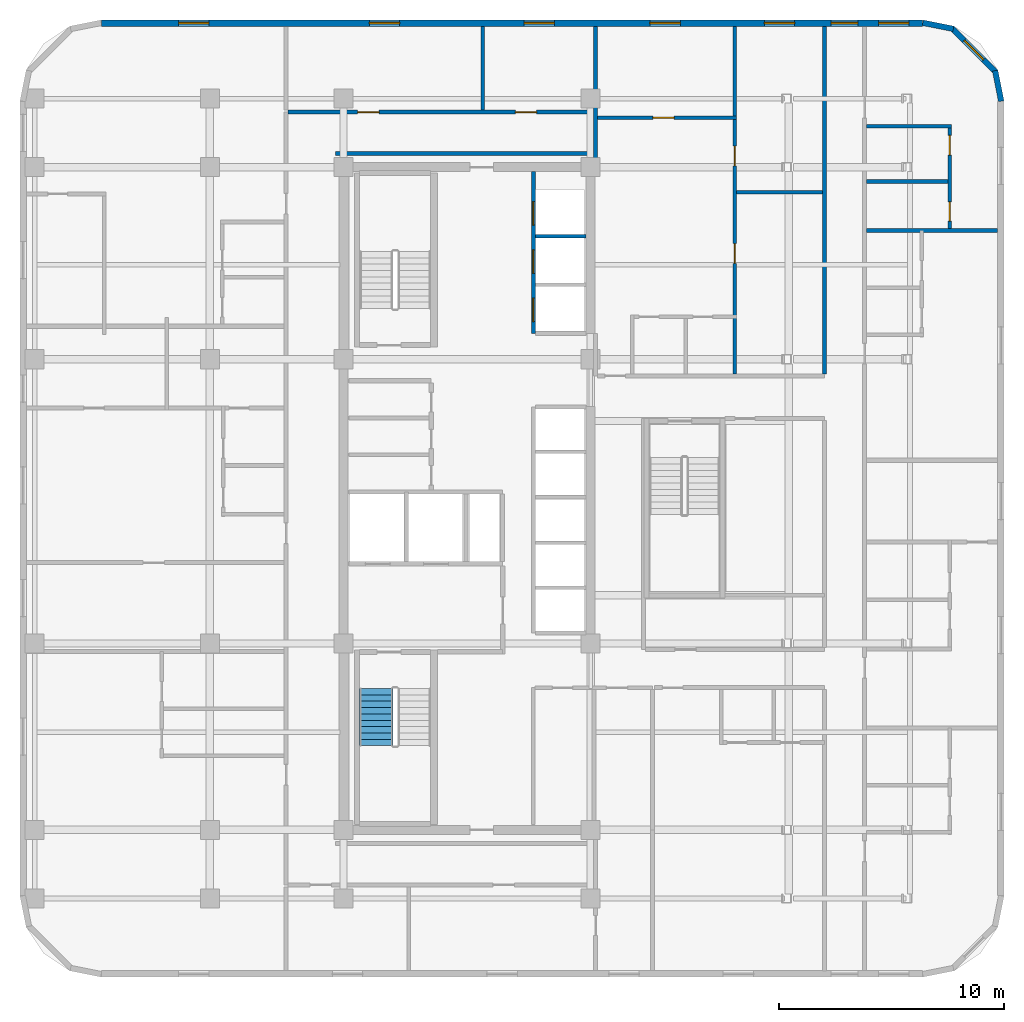
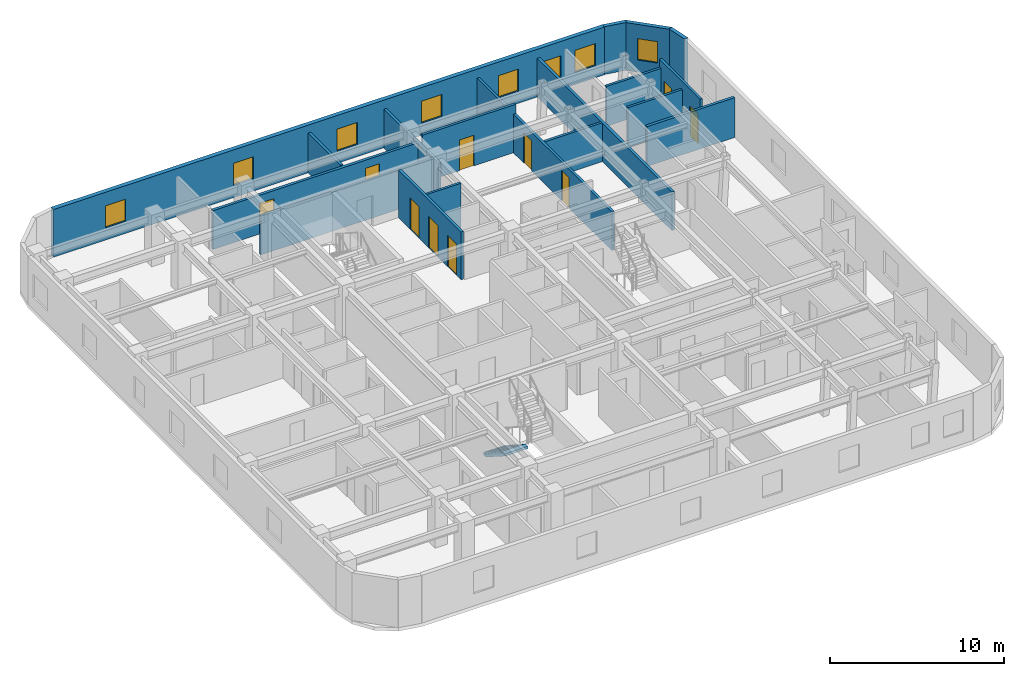
# One storey, part 7 of 9: 18 walls, 10 doors, 8 windows, 1 stair flight, 18 openings, 1 element without a shape of its own.
"""IFC4 building model written with IfcOpenShell, lengths in metres."""

from ifc_helpers import new_model, si_unit, direction, frame, frame_2d, origin, place, context, subcontext, project, spatial, polyline, rectangle, outline, extrude, material, layer, layer_set, type_object, element, fill, aggregate, save


model = new_model("IFC4")

# Units and contexts
model_context = context("Model", 3, precision=1e-05, world=origin(), true_north=direction((0.0, 1.0)))
body_context = subcontext(model_context, "Body", "Model", "MODEL_VIEW")
ifc_project = project(units=[si_unit("LENGTHUNIT", "METRE"), si_unit("AREAUNIT", "SQUARE_METRE"), si_unit("VOLUMEUNIT", "CUBIC_METRE"), si_unit("PLANEANGLEUNIT", "RADIAN"), si_unit("MASSUNIT", "GRAM", prefix="KILO")], contexts=[model_context])

# Site, building, storey
site_placement = place(None, origin())
site = spatial("IfcSite", under=ifc_project, at=site_placement, CompositionType="ELEMENT")
building_placement = place(site_placement, origin())
building = spatial("IfcBuilding", under=site, at=building_placement, Name="Ochreholt Gables", CompositionType="ELEMENT")
storey_placement = place(building_placement, frame((0.0, 0.0, 113.39990234375)))
storey = spatial("IfcBuildingStorey", under=building, at=storey_placement, Name="L29", CompositionType="ELEMENT", Elevation=113.39990234375)

# Wall, openings, windows
ifc_material_1 = material(Name="Precast concrete 40 MPa", Category="concrete")
ifc_layer_1 = layer(ifc_material_1, 0.280029296875, Name="Precast concrete 40 MPa")
ifc_layer_set_1 = layer_set([ifc_layer_1], Name="Precast concrete 40 MPa")
wall_type_1 = type_object("IfcWallType", Name="WALL-EXT-280", PredefinedType="SOLIDWALL", material=ifc_layer_set_1)
wall_1_placement = place(storey_placement, frame((49.97998046875, 45.159912109375, 0.0), z_axis=(0.0, 0.0, 1.0), x_axis=(-1.0, 0.0, 0.0)))
wall_1 = element("IfcWall", 1, at=wall_1_placement, inside=storey, type_object=wall_type_1, Name="L29 North Exterior Wall", PredefinedType="SOLIDWALL", context=body_context, shape_type="SweptSolid", body=[
    extrude(rectangle(XDim=36.56005859375, YDim=0.280029296875, at=frame_2d((18.280029296875, 0.0))), origin(), (0.0, 0.0, 1.0), 3.35009765625),
])
opening_1_placement = place(wall_1_placement, frame((31.77001953125, 0.0, 0.85009765625)))
opening_1 = element("IfcOpeningElement", 2, at=opening_1_placement, cuts=wall_1, Name="Opening WN-8", PredefinedType="OPENING", context=body_context, shape_type="SweptSolid", body=[
    extrude(rectangle(XDim=1.35009765625, YDim=1.550048828125, at=frame_2d((0.675048828125, 0.77490234375))), frame((0.0, 0.14990234375, 0.0), z_axis=(0.0, -1.0, 0.0), x_axis=(1.0, 0.0, 0.0)), (0.0, 0.0, 1.0), 0.300048828125),
])
opening_2_placement = place(wall_1_placement, frame((23.280029296875, 0.0, 0.85009765625)))
opening_2 = element("IfcOpeningElement", 3, at=opening_2_placement, cuts=wall_1, Name="Opening WN-8", PredefinedType="OPENING", context=body_context, shape_type="SweptSolid", body=[
    extrude(rectangle(XDim=1.35009765625, YDim=1.550048828125, at=frame_2d((0.675048828125, 0.77490234375))), frame((0.0, 0.14990234375, 0.0), z_axis=(0.0, -1.0, 0.0), x_axis=(1.0, 0.0, 0.0)), (0.0, 0.0, 1.0), 0.300048828125),
])
opening_3_placement = place(wall_1_placement, frame((16.39501953125, 0.0, 0.85009765625)))
opening_3 = element("IfcOpeningElement", 4, at=opening_3_placement, cuts=wall_1, Name="Opening WN-8", PredefinedType="OPENING", context=body_context, shape_type="SweptSolid", body=[
    extrude(rectangle(XDim=1.35009765625, YDim=1.550048828125, at=frame_2d((0.675048828125, 0.77490234375))), frame((0.0, 0.14990234375, 0.0), z_axis=(0.0, -1.0, 0.0), x_axis=(1.0, 0.0, 0.0)), (0.0, 0.0, 1.0), 0.300048828125),
])
opening_4_placement = place(wall_1_placement, frame((10.7900390625, 0.0, 0.85009765625)))
opening_4 = element("IfcOpeningElement", 5, at=opening_4_placement, cuts=wall_1, Name="Opening WN-8", PredefinedType="OPENING", context=body_context, shape_type="SweptSolid", body=[
    extrude(rectangle(XDim=1.35009765625, YDim=1.550048828125, at=frame_2d((0.675048828125, 0.77490234375))), frame((0.0, 0.14990234375, 0.0), z_axis=(0.0, -1.0, 0.0), x_axis=(1.0, 0.0, 0.0)), (0.0, 0.0, 1.0), 0.300048828125),
])
opening_5_placement = place(wall_1_placement, frame((5.699951171875, 0.0, 0.85009765625)))
opening_5 = element("IfcOpeningElement", 6, at=opening_5_placement, cuts=wall_1, Name="Opening WN-8", PredefinedType="OPENING", context=body_context, shape_type="SweptSolid", body=[
    extrude(rectangle(XDim=1.35009765625, YDim=1.550048828125, at=frame_2d((0.675048828125, 0.77490234375))), frame((0.0, 0.14990234375, 0.0), z_axis=(0.0, -1.0, 0.0), x_axis=(1.0, 0.0, 0.0)), (0.0, 0.0, 1.0), 0.300048828125),
])
opening_6_placement = place(wall_1_placement, frame((2.8798828125, 0.0, 0.85009765625)))
opening_6 = element("IfcOpeningElement", 7, at=opening_6_placement, cuts=wall_1, Name="Opening WN-3", PredefinedType="OPENING", context=body_context, shape_type="SweptSolid", body=[
    extrude(rectangle(XDim=1.199951171875, YDim=1.5, at=frame_2d((0.60009765625, 0.75))), frame((0.0, 0.14990234375, 0.0), z_axis=(0.0, -1.0, 0.0), x_axis=(1.0, 0.0, 0.0)), (0.0, 0.0, 1.0), 0.300048828125),
])
opening_7_placement = place(wall_1_placement, frame((0.614990234375, 0.0, 0.85009765625)))
opening_7 = element("IfcOpeningElement", 8, at=opening_7_placement, cuts=wall_1, Name="Opening WN-8", PredefinedType="OPENING", context=body_context, shape_type="SweptSolid", body=[
    extrude(rectangle(XDim=1.35009765625, YDim=1.550048828125, at=frame_2d((0.675048828125, 0.77490234375))), frame((0.0, 0.14990234375, 0.0), z_axis=(0.0, -1.0, 0.0), x_axis=(1.0, 0.0, 0.0)), (0.0, 0.0, 1.0), 0.300048828125),
])
ifc_material_2 = material(Name="Triple-Glazed Thermally Broken Aluminium Window", Category="aluminium")
window_type_1 = type_object("IfcWindowType", Name="WIN-RES-1200", PartitioningType="SINGLE_PANEL", PredefinedType="WINDOW", material=ifc_material_2)
window_1_placement = place(opening_6_placement, origin())
window_1 = element("IfcWindow", 9, at=window_1_placement, inside=storey, type_object=window_type_1, Name="L29 Window W-EXT-N-L29-6", OverallHeight=1.5, OverallWidth=1.199951171875, PartitioningType="SINGLE_PANEL", PredefinedType="WINDOW", context=body_context, shape_type="SweptSolid", body=[
    extrude(rectangle(XDim=1.199951171875, YDim=1.5, at=frame_2d((0.60009765625, 0.75))), frame((0.0, 0.030029296875, 0.0), z_axis=(0.0, -1.0, 0.0), x_axis=(1.0, 0.0, 0.0)), (0.0, 0.0, 1.0), 0.06005859375),
])
fill(opening_6, window_1)
window_type_2 = type_object("IfcWindowType", Name="WIN-RES-1350", PartitioningType="SINGLE_PANEL", PredefinedType="WINDOW", material=ifc_material_2)
window_2_placement = place(opening_1_placement, origin())
window_2 = element("IfcWindow", 10, at=window_2_placement, inside=storey, type_object=window_type_2, Name="L29 Window W-EXT-N-L29-1", OverallHeight=1.550048828125, OverallWidth=1.35009765625, PartitioningType="SINGLE_PANEL", PredefinedType="WINDOW", context=body_context, shape_type="SweptSolid", body=[
    extrude(rectangle(XDim=1.35009765625, YDim=1.550048828125, at=frame_2d((0.675048828125, 0.77490234375))), frame((0.0, 0.030029296875, 0.0), z_axis=(0.0, -1.0, 0.0), x_axis=(1.0, 0.0, 0.0)), (0.0, 0.0, 1.0), 0.06005859375),
])
fill(opening_1, window_2)
window_3_placement = place(opening_2_placement, origin())
window_3 = element("IfcWindow", 11, at=window_3_placement, inside=storey, type_object=window_type_2, Name="L29 Window W-EXT-N-L29-2", OverallHeight=1.550048828125, OverallWidth=1.35009765625, PartitioningType="SINGLE_PANEL", PredefinedType="WINDOW", context=body_context, shape_type="SweptSolid", body=[
    extrude(rectangle(XDim=1.35009765625, YDim=1.550048828125, at=frame_2d((0.675048828125, 0.77490234375))), frame((0.0, 0.030029296875, 0.0), z_axis=(0.0, -1.0, 0.0), x_axis=(1.0, 0.0, 0.0)), (0.0, 0.0, 1.0), 0.06005859375),
])
fill(opening_2, window_3)
window_4_placement = place(opening_3_placement, origin())
window_4 = element("IfcWindow", 12, at=window_4_placement, inside=storey, type_object=window_type_2, Name="L29 Window W-EXT-N-L29-3", OverallHeight=1.550048828125, OverallWidth=1.35009765625, PartitioningType="SINGLE_PANEL", PredefinedType="WINDOW", context=body_context, shape_type="SweptSolid", body=[
    extrude(rectangle(XDim=1.35009765625, YDim=1.550048828125, at=frame_2d((0.675048828125, 0.77490234375))), frame((0.0, 0.030029296875, 0.0), z_axis=(0.0, -1.0, 0.0), x_axis=(1.0, 0.0, 0.0)), (0.0, 0.0, 1.0), 0.06005859375),
])
fill(opening_3, window_4)
window_5_placement = place(opening_4_placement, origin())
window_5 = element("IfcWindow", 13, at=window_5_placement, inside=storey, type_object=window_type_2, Name="L29 Window W-EXT-N-L29-4", OverallHeight=1.550048828125, OverallWidth=1.35009765625, PartitioningType="SINGLE_PANEL", PredefinedType="WINDOW", context=body_context, shape_type="SweptSolid", body=[
    extrude(rectangle(XDim=1.35009765625, YDim=1.550048828125, at=frame_2d((0.675048828125, 0.77490234375))), frame((0.0, 0.030029296875, 0.0), z_axis=(0.0, -1.0, 0.0), x_axis=(1.0, 0.0, 0.0)), (0.0, 0.0, 1.0), 0.06005859375),
])
fill(opening_4, window_5)
window_6_placement = place(opening_5_placement, origin())
window_6 = element("IfcWindow", 14, at=window_6_placement, inside=storey, type_object=window_type_2, Name="L29 Window W-EXT-N-L29-5", OverallHeight=1.550048828125, OverallWidth=1.35009765625, PartitioningType="SINGLE_PANEL", PredefinedType="WINDOW", context=body_context, shape_type="SweptSolid", body=[
    extrude(rectangle(XDim=1.35009765625, YDim=1.550048828125, at=frame_2d((0.675048828125, 0.77490234375))), frame((0.0, 0.030029296875, 0.0), z_axis=(0.0, -1.0, 0.0), x_axis=(1.0, 0.0, 0.0)), (0.0, 0.0, 1.0), 0.06005859375),
])
fill(opening_5, window_6)
window_7_placement = place(opening_7_placement, origin())
window_7 = element("IfcWindow", 15, at=window_7_placement, inside=storey, type_object=window_type_2, Name="L29 Window W-EXT-N-L29-7", OverallHeight=1.550048828125, OverallWidth=1.35009765625, PartitioningType="SINGLE_PANEL", PredefinedType="WINDOW", context=body_context, shape_type="SweptSolid", body=[
    extrude(rectangle(XDim=1.35009765625, YDim=1.550048828125, at=frame_2d((0.675048828125, 0.77490234375))), frame((0.0, 0.030029296875, 0.0), z_axis=(0.0, -1.0, 0.0), x_axis=(1.0, 0.0, 0.0)), (0.0, 0.0, 1.0), 0.06005859375),
])
fill(opening_7, window_7)

# Wall
ifc_layer_2 = layer(ifc_material_1, 0.25, Name="Precast concrete 40 MPa")
ifc_layer_set_2 = layer_set([ifc_layer_2], Name="Precast concrete 40 MPa")
wall_type_2 = type_object("IfcWallType", Name="WALL-EXT-CNR", PredefinedType="SOLIDWALL", material=ifc_layer_set_2)
wall_2_placement = place(storey_placement, frame((53.475830078125, 41.68359375, 0.0), z_axis=(0.0, 0.0, 1.0), x_axis=(-0.195000137217, 0.980803214965, 0.0)))
element("IfcWall", 16, at=wall_2_placement, inside=storey, type_object=wall_type_2, Name="L29 Rounded Corner Wall NE-1", PredefinedType="SOLIDWALL", context=body_context, shape_type="SweptSolid", body=[
    extrude(rectangle(XDim=1.388427734375, YDim=0.25, at=frame_2d((0.6943359375, 0.0))), origin(), (0.0, 0.0, 1.0), 3.35009765625),
])

# Wall, opening, window
wall_3_placement = place(storey_placement, frame((53.23193359375, 42.9951171875, 0.0), z_axis=(0.0, 0.0, 1.0), x_axis=(-0.707151344399, 0.707062215165, 0.0)))
wall_3 = element("IfcWall", 17, at=wall_3_placement, inside=storey, type_object=wall_type_2, Name="L29 Rounded Corner Wall NE-2", PredefinedType="SOLIDWALL", context=body_context, shape_type="SweptSolid", body=[
    extrude(rectangle(XDim=2.7392578125, YDim=0.25, at=frame_2d((1.36962890625, 0.0))), origin(), (0.0, 0.0, 1.0), 3.35009765625),
])
opening_8_placement = place(wall_3_placement, frame((0.769775390625, 0.0, 0.85009765625)))
opening_8 = element("IfcOpeningElement", 18, at=opening_8_placement, cuts=wall_3, Name="Opening WN-3", PredefinedType="OPENING", context=body_context, shape_type="SweptSolid", body=[
    extrude(rectangle(XDim=1.199951171875, YDim=1.5, at=frame_2d((0.60009765625, 0.75))), frame((0.0, 0.135009765625, 0.0), z_axis=(0.0, -1.0, 0.0), x_axis=(1.0, 0.0, 0.0)), (0.0, 0.0, 1.0), 0.27001953125),
])
window_8_placement = place(opening_8_placement, origin())
window_8 = element("IfcWindow", 19, at=window_8_placement, inside=storey, type_object=window_type_1, Name="L29 Corner Bedroom Window NE", OverallHeight=1.5, OverallWidth=1.199951171875, PartitioningType="SINGLE_PANEL", PredefinedType="WINDOW", context=body_context, shape_type="SweptSolid", body=[
    extrude(rectangle(XDim=1.199951171875, YDim=1.5, at=frame_2d((0.60009765625, 0.75))), frame((0.0, 0.030029296875, 0.0), z_axis=(0.0, -1.0, 0.0), x_axis=(1.0, 0.0, 0.0)), (0.0, 0.0, 1.0), 0.06005859375),
])
fill(opening_8, window_8)

# Wall
wall_4_placement = place(storey_placement, frame((51.345458984375, 44.905029296875, 0.0), z_axis=(0.0, 0.0, 1.0), x_axis=(-0.980809899341, 0.19496651342, 0.0)))
element("IfcWall", 20, at=wall_4_placement, inside=storey, type_object=wall_type_2, Name="L29 Rounded Corner Wall NE-3", PredefinedType="SOLIDWALL", context=body_context, shape_type="SweptSolid", body=[
    extrude(rectangle(XDim=1.388671875, YDim=0.25, at=frame_2d((0.6943359375, 0.0))), origin(), (0.0, 0.0, 1.0), 3.35009765625),
])

# Wall, openings, doors
ifc_material_3 = material(Name="Fire-Rated Gypsum Acoustic Partition", Category="gypsum")
ifc_layer_3 = layer(ifc_material_3, 0.179931640625, Name="Fire-Rated Gypsum Acoustic Partition")
ifc_layer_set_3 = layer_set([ifc_layer_3], Name="Fire-Rated Gypsum Acoustic Partition")
wall_type_3 = type_object("IfcWallType", Name="WALL-INT-CR180", PredefinedType="STANDARD", material=ifc_layer_set_3)
wall_5_placement = place(storey_placement, frame((21.739990234375, 41.199951171875, 0.0), z_axis=(0.0, 0.0, 1.0), x_axis=(1.0, 0.0, 0.0)))
wall_5 = element("IfcWall", 21, at=wall_5_placement, inside=storey, type_object=wall_type_3, Name="L29 Interior Wall WI-C2WCN-L29", PredefinedType="STANDARD", context=body_context, shape_type="SweptSolid", body=[
    extrude(rectangle(XDim=13.679931640625, YDim=0.179931640625, at=frame_2d((6.83984375, 0.0))), origin(), (0.0, 0.0, 1.0), 2.72119140625),
])
opening_9_placement = place(wall_5_placement, frame((3.090087890625, 0.0, 0.0)))
opening_9 = element("IfcOpeningElement", 22, at=opening_9_placement, cuts=wall_5, Name="Opening D-GN1", PredefinedType="OPENING", context=body_context, shape_type="SweptSolid", body=[
    extrude(rectangle(XDim=0.949951171875, YDim=2.14990234375, at=frame_2d((0.47509765625, 1.074951171875))), frame((0.0, 0.099853515625, 0.0), z_axis=(0.0, -1.0, 0.0), x_axis=(1.0, 0.0, 0.0)), (0.0, 0.0, 1.0), 0.199951171875),
])
opening_10_placement = place(wall_5_placement, frame((10.110107421875, 0.0, 0.0)))
opening_10 = element("IfcOpeningElement", 23, at=opening_10_placement, cuts=wall_5, Name="Opening D-GN1", PredefinedType="OPENING", context=body_context, shape_type="SweptSolid", body=[
    extrude(rectangle(XDim=0.949951171875, YDim=2.14990234375, at=frame_2d((0.47509765625, 1.074951171875))), frame((0.0, 0.099853515625, 0.0), z_axis=(0.0, -1.0, 0.0), x_axis=(1.0, 0.0, 0.0)), (0.0, 0.0, 1.0), 0.199951171875),
])
ifc_material_4 = material(Name="Engineered Oak Timber", Category="wood")
door_type_1 = type_object("IfcDoorType", Name="DR-INT-GEN950", OperationType="NOTDEFINED", PredefinedType="DOOR", material=ifc_material_4)
door_1_placement = place(opening_9_placement, origin())
door_1 = element("IfcDoor", 24, at=door_1_placement, inside=storey, type_object=door_type_1, Name="L29 Door D-C2NRS1-L29", OperationType="SINGLE_SWING_RIGHT", OverallHeight=2.14990234375, OverallWidth=0.949951171875, PredefinedType="DOOR", context=body_context, shape_type="SweptSolid", body=[
    extrude(rectangle(XDim=0.949951171875, YDim=2.14990234375, at=frame_2d((0.47509765625, 1.074951171875))), frame((0.0, 0.02490234375, 0.0), z_axis=(0.0, -1.0, 0.0), x_axis=(1.0, 0.0, 0.0)), (0.0, 0.0, 1.0), 0.050048828125),
])
fill(opening_9, door_1)
door_2_placement = place(opening_10_placement, origin())
door_2 = element("IfcDoor", 25, at=door_2_placement, inside=storey, type_object=door_type_1, Name="L29 Door D-C2NRS2-L29", OperationType="SINGLE_SWING_LEFT", OverallHeight=2.14990234375, OverallWidth=0.949951171875, PredefinedType="DOOR", context=body_context, shape_type="SweptSolid", body=[
    extrude(rectangle(XDim=0.949951171875, YDim=2.14990234375, at=frame_2d((0.47509765625, 1.074951171875))), frame((0.0, 0.02490234375, 0.0), z_axis=(0.0, -1.0, 0.0), x_axis=(1.0, 0.0, 0.0)), (0.0, 0.0, 1.0), 0.050048828125),
])
fill(opening_10, door_2)

# Walls
wall_6_placement = place(storey_placement, frame((23.85009765625, 39.35009765625, 0.0), z_axis=(0.0, 0.0, 1.0), x_axis=(1.0, 0.0, 0.0)))
element("IfcWall", 26, at=wall_6_placement, inside=storey, type_object=wall_type_3, Name="L29 Interior Wall WI-C2WCN2-L29", PredefinedType="STANDARD", context=body_context, shape_type="SweptSolid", body=[
    extrude(rectangle(XDim=11.56982421875, YDim=0.179931640625, at=frame_2d((5.784912109375, 0.0))), origin(), (0.0, 0.0, 1.0), 2.72119140625),
])
wall_7_placement = place(storey_placement, frame((45.60009765625, 29.550048828125, 0.0), z_axis=(0.0, 0.0, 1.0), x_axis=(0.0, 1.0, 0.0)))
element("IfcWall", 27, at=wall_7_placement, inside=storey, type_object=wall_type_3, Name="L29 Interior Wall WI-C2FEGW3-L29", PredefinedType="STANDARD", context=body_context, shape_type="SweptSolid", body=[
    extrude(rectangle(XDim=15.469970703125, YDim=0.179931640625, at=frame_2d((7.73486328125, 0.0))), origin(), (0.0, 0.0, 1.0), 2.72119140625),
])
ifc_material_5 = material(Name="Double-Stud Acoustic Demising Wall", Category="gypsum")
ifc_layer_4 = layer(ifc_material_5, 0.179931640625, Name="Double-Stud Acoustic Demising Wall")
ifc_layer_set_4 = layer_set([ifc_layer_4], Name="Double-Stud Acoustic Demising Wall")
wall_type_4 = type_object("IfcWallType", Name="WALL-INT-DM180", PredefinedType="PARTITIONING", material=ifc_layer_set_4)
wall_8_placement = place(storey_placement, frame((35.419921875, 38.75, 0.0), z_axis=(0.0, 0.0, 1.0), x_axis=(0.0, 1.0, 0.0)))
element("IfcWall", 28, at=wall_8_placement, inside=storey, type_object=wall_type_4, Name="L29 Interior Wall WI-C2NEN-L29", PredefinedType="PARTITIONING", context=body_context, shape_type="SweptSolid", body=[
    extrude(rectangle(XDim=6.27001953125, YDim=0.179931640625, at=frame_2d((3.135009765625, 0.0))), origin(), (0.0, 0.0, 1.0), 2.72119140625),
])
wall_9_placement = place(storey_placement, frame((47.489990234375, 35.927978515625, 0.0), z_axis=(0.0, 0.0, 1.0), x_axis=(1.0, 0.0, 0.0)))
element("IfcWall", 29, at=wall_9_placement, inside=storey, type_object=wall_type_4, Name="L29 Interior Wall WI-C2FED4-L29", PredefinedType="PARTITIONING", context=body_context, shape_type="SweptSolid", body=[
    extrude(rectangle(XDim=5.830078125, YDim=0.179931640625, at=frame_2d((2.9150390625, 0.0))), origin(), (0.0, 0.0, 1.0), 2.799072265625),
])
ifc_material_6 = material(Name="Moisture-Resistant Plumbing Chase Wall", Category="gypsum")
ifc_layer_5 = layer(ifc_material_6, 0.159912109375, Name="Moisture-Resistant Plumbing Chase Wall")
ifc_layer_set_5 = layer_set([ifc_layer_5], Name="Moisture-Resistant Plumbing Chase Wall")
wall_type_5 = type_object("IfcWallType", Name="WALL-INT-PL160", PredefinedType="PLUMBINGWALL", material=ifc_layer_set_5)
wall_10_placement = place(storey_placement, frame((47.489990234375, 40.568115234375, 0.0), z_axis=(0.0, 0.0, 1.0), x_axis=(1.0, 0.0, 0.0)))
element("IfcWall", 30, at=wall_10_placement, inside=storey, type_object=wall_type_5, Name="L29 Interior Wall WU-L29FE4-WYN", PredefinedType="PLUMBINGWALL", context=body_context, shape_type="SweptSolid", body=[
    extrude(rectangle(XDim=3.775146484375, YDim=0.159912109375, at=frame_2d((1.8876953125, 0.0))), origin(), (0.0, 0.0, 1.0), 2.799072265625),
])

# Wall, openings, doors
wall_11_placement = place(storey_placement, frame((51.185302734375, 36.01806640625, 0.0), z_axis=(0.0, 0.0, 1.0), x_axis=(0.0, 1.0, 0.0)))
wall_11 = element("IfcWall", 31, at=wall_11_placement, inside=storey, type_object=wall_type_5, Name="L29 Interior Wall WU-L29FE4-WX", PredefinedType="PLUMBINGWALL", context=body_context, shape_type="SweptSolid", body=[
    extrude(rectangle(XDim=4.639892578125, YDim=0.159912109375, at=frame_2d((2.31982421875, 0.0))), origin(), (0.0, 0.0, 1.0), 3.35009765625),
])
opening_11_placement = place(wall_11_placement, frame((0.330078125, 0.0, 0.0)))
opening_11 = element("IfcOpeningElement", 32, at=opening_11_placement, cuts=wall_11, Name="Opening D-BT1", PredefinedType="OPENING", context=body_context, shape_type="SweptSolid", body=[
    extrude(rectangle(XDim=0.860107421875, YDim=2.1201171875, at=frame_2d((0.43017578125, 1.06005859375))), frame((0.0, 0.08984375, 0.0), z_axis=(0.0, -1.0, 0.0), x_axis=(1.0, 0.0, 0.0)), (0.0, 0.0, 1.0), 0.179931640625),
])
opening_12_placement = place(wall_11_placement, frame((3.262939453125, 0.0, 0.0)))
opening_12 = element("IfcOpeningElement", 33, at=opening_12_placement, cuts=wall_11, Name="Opening D-GN2", PredefinedType="OPENING", context=body_context, shape_type="SweptSolid", body=[
    extrude(rectangle(XDim=0.8798828125, YDim=2.1201171875, at=frame_2d((0.43994140625, 1.06005859375))), frame((0.0, 0.08984375, 0.0), z_axis=(0.0, -1.0, 0.0), x_axis=(1.0, 0.0, 0.0)), (0.0, 0.0, 1.0), 0.179931640625),
])
door_type_2 = type_object("IfcDoorType", Name="DR-INT-BTH860", OperationType="NOTDEFINED", PredefinedType="DOOR", material=ifc_material_4)
door_3_placement = place(opening_11_placement, origin())
door_3 = element("IfcDoor", 34, at=door_3_placement, inside=storey, type_object=door_type_2, Name="L29 Door D-U-L29FE4-BTH", OperationType="SINGLE_SWING_RIGHT", OverallHeight=2.1201171875, OverallWidth=0.860107421875, PredefinedType="DOOR", context=body_context, shape_type="SweptSolid", body=[
    extrude(rectangle(XDim=0.860107421875, YDim=2.1201171875, at=frame_2d((0.43017578125, 1.06005859375))), frame((0.0, 0.02490234375, 0.0), z_axis=(0.0, -1.0, 0.0), x_axis=(1.0, 0.0, 0.0)), (0.0, 0.0, 1.0), 0.050048828125),
])
fill(opening_11, door_3)
door_type_3 = type_object("IfcDoorType", Name="DR-INT-GEN880", OperationType="NOTDEFINED", PredefinedType="DOOR", material=ifc_material_4)
door_4_placement = place(opening_12_placement, origin())
door_4 = element("IfcDoor", 35, at=door_4_placement, inside=storey, type_object=door_type_3, Name="L29 Door D-U-L29FE4-KIT", OperationType="SINGLE_SWING_LEFT", OverallHeight=2.1201171875, OverallWidth=0.8798828125, PredefinedType="DOOR", context=body_context, shape_type="SweptSolid", body=[
    extrude(rectangle(XDim=0.8798828125, YDim=2.1201171875, at=frame_2d((0.43994140625, 1.06005859375))), frame((0.0, 0.02490234375, 0.0), z_axis=(0.0, -1.0, 0.0), x_axis=(1.0, 0.0, 0.0)), (0.0, 0.0, 1.0), 0.050048828125),
])
fill(opening_12, door_4)

# Wall
wall_12_placement = place(storey_placement, frame((47.489990234375, 38.111083984375, 0.0), z_axis=(0.0, 0.0, 1.0), x_axis=(1.0, 0.0, 0.0)))
element("IfcWall", 36, at=wall_12_placement, inside=storey, type_object=wall_type_5, Name="L29 Interior Wall WU-L29FE4-WM", PredefinedType="PLUMBINGWALL", context=body_context, shape_type="SweptSolid", body=[
    extrude(rectangle(XDim=3.615234375, YDim=0.159912109375, at=frame_2d((1.8076171875, 0.0))), origin(), (0.0, 0.0, 1.0), 2.799072265625),
])

# Wall, openings, doors
ifc_material_7 = material(Name="Gypsum Acoustic Stud Partition", Category="gypsum")
ifc_layer_6 = layer(ifc_material_7, 0.1650390625, Name="Gypsum Acoustic Stud Partition")
ifc_layer_set_6 = layer_set([ifc_layer_6], Name="Gypsum Acoustic Stud Partition")
wall_type_6 = type_object("IfcWallType", Name="WALL-INT-PT165", PredefinedType="PARTITIONING", material=ifc_layer_set_6)
wall_13_placement = place(storey_placement, frame((41.610107421875, 29.550048828125, 0.0), z_axis=(0.0, 0.0, 1.0), x_axis=(0.0, 1.0, 0.0)))
wall_13 = element("IfcWall", 37, at=wall_13_placement, inside=storey, type_object=wall_type_6, Name="L29 Interior Wall WU-L29N1-MNX", PredefinedType="PARTITIONING", context=body_context, shape_type="SweptSolid", body=[
    extrude(rectangle(XDim=15.469970703125, YDim=0.1650390625, at=frame_2d((7.73486328125, 0.0))), origin(), (0.0, 0.0, 1.0), 2.72119140625),
])
opening_13_placement = place(wall_13_placement, frame((4.91748046875, 0.0, 0.0)))
opening_13 = element("IfcOpeningElement", 38, at=opening_13_placement, cuts=wall_13, Name="Opening D-BD2", PredefinedType="OPENING", context=body_context, shape_type="SweptSolid", body=[
    extrude(rectangle(XDim=0.8798828125, YDim=2.139892578125, at=frame_2d((0.43994140625, 1.06982421875))), frame((0.0, 0.092529296875, 0.0), z_axis=(0.0, -1.0, 0.0), x_axis=(1.0, 0.0, 0.0)), (0.0, 0.0, 1.0), 0.18505859375),
])
opening_14_placement = place(wall_13_placement, frame((9.2548828125, 0.0, 0.0)))
opening_14 = element("IfcOpeningElement", 39, at=opening_14_placement, cuts=wall_13, Name="Opening D-GN2", PredefinedType="OPENING", context=body_context, shape_type="SweptSolid", body=[
    extrude(rectangle(XDim=0.8798828125, YDim=2.1201171875, at=frame_2d((0.43994140625, 1.06005859375))), frame((0.0, 0.092529296875, 0.0), z_axis=(0.0, -1.0, 0.0), x_axis=(1.0, 0.0, 0.0)), (0.0, 0.0, 1.0), 0.18505859375),
])
door_type_4 = type_object("IfcDoorType", Name="DR-INT-BED880", OperationType="NOTDEFINED", PredefinedType="DOOR", material=ifc_material_4)
door_5_placement = place(opening_13_placement, origin())
door_5 = element("IfcDoor", 40, at=door_5_placement, inside=storey, type_object=door_type_4, Name="L29 Door D-U-L29N1-BD1", OperationType="SINGLE_SWING_LEFT", OverallHeight=2.139892578125, OverallWidth=0.8798828125, PredefinedType="DOOR", context=body_context, shape_type="SweptSolid", body=[
    extrude(rectangle(XDim=0.8798828125, YDim=2.139892578125, at=frame_2d((0.43994140625, 1.06982421875))), frame((0.0, 0.02490234375, 0.0), z_axis=(0.0, -1.0, 0.0), x_axis=(1.0, 0.0, 0.0)), (0.0, 0.0, 1.0), 0.050048828125),
])
fill(opening_13, door_5)
door_6_placement = place(opening_14_placement, origin())
door_6 = element("IfcDoor", 41, at=door_6_placement, inside=storey, type_object=door_type_3, Name="L29 Door D-U-L29N1-BD2", OperationType="SINGLE_SWING_RIGHT", OverallHeight=2.1201171875, OverallWidth=0.8798828125, PredefinedType="DOOR", context=body_context, shape_type="SweptSolid", body=[
    extrude(rectangle(XDim=0.8798828125, YDim=2.1201171875, at=frame_2d((0.43994140625, 1.06005859375))), frame((0.0, 0.02490234375, 0.0), z_axis=(0.0, -1.0, 0.0), x_axis=(1.0, 0.0, 0.0)), (0.0, 0.0, 1.0), 0.050048828125),
])
fill(opening_14, door_6)

# Wall, opening, door
wall_14_placement = place(storey_placement, frame((35.510009765625, 40.949951171875, 0.0), z_axis=(0.0, 0.0, 1.0), x_axis=(1.0, 0.0, 0.0)))
wall_14 = element("IfcWall", 42, at=wall_14_placement, inside=storey, type_object=wall_type_6, Name="L29 Interior Wall WU-L29N1-DNY", PredefinedType="PARTITIONING", context=body_context, shape_type="SweptSolid", body=[
    extrude(rectangle(XDim=6.179931640625, YDim=0.1650390625, at=frame_2d((3.08984375, 0.0))), origin(), (0.0, 0.0, 1.0), 3.35009765625),
])
opening_15_placement = place(wall_14_placement, frame((2.455078125, 0.0, 0.0)))
opening_15 = element("IfcOpeningElement", 43, at=opening_15_placement, cuts=wall_14, Name="Opening D-GN1", PredefinedType="OPENING", context=body_context, shape_type="SweptSolid", body=[
    extrude(rectangle(XDim=0.949951171875, YDim=2.14990234375, at=frame_2d((0.47509765625, 1.074951171875))), frame((0.0, 0.092529296875, 0.0), z_axis=(0.0, -1.0, 0.0), x_axis=(1.0, 0.0, 0.0)), (0.0, 0.0, 1.0), 0.18505859375),
])
door_7_placement = place(opening_15_placement, origin())
door_7 = element("IfcDoor", 44, at=door_7_placement, inside=storey, type_object=door_type_1, Name="L29 Door D-U-L29N1-DIN", OperationType="SINGLE_SWING_RIGHT", OverallHeight=2.14990234375, OverallWidth=0.949951171875, PredefinedType="DOOR", context=body_context, shape_type="SweptSolid", body=[
    extrude(rectangle(XDim=0.949951171875, YDim=2.14990234375, at=frame_2d((0.47509765625, 1.074951171875))), frame((0.0, 0.02490234375, 0.0), z_axis=(0.0, -1.0, 0.0), x_axis=(1.0, 0.0, 0.0)), (0.0, 0.0, 1.0), 0.050048828125),
])
fill(opening_15, door_7)

# Walls
wall_15_placement = place(storey_placement, frame((41.68994140625, 37.6298828125, 0.0), z_axis=(0.0, 0.0, 1.0), x_axis=(1.0, 0.0, 0.0)))
element("IfcWall", 45, at=wall_15_placement, inside=storey, type_object=wall_type_6, Name="L29 Interior Wall WU-L29N1-RDV", PredefinedType="PARTITIONING", context=body_context, shape_type="SweptSolid", body=[
    extrude(rectangle(XDim=3.820068359375, YDim=0.1650390625, at=frame_2d((1.91015625, 0.0))), origin(), (0.0, 0.0, 1.0), 2.72119140625),
])
wall_16_placement = place(storey_placement, frame((30.39990234375, 41.2900390625, 0.0), z_axis=(0.0, 0.0, 1.0), x_axis=(0.0, 1.0, 0.0)))
element("IfcWall", 46, at=wall_16_placement, inside=storey, type_object=wall_type_6, Name="L29 Interior Wall WI-C2PKN-L29", PredefinedType="PARTITIONING", context=body_context, shape_type="SweptSolid", body=[
    extrude(rectangle(XDim=3.72998046875, YDim=0.1650390625, at=frame_2d((1.864990234375, 0.0))), origin(), (0.0, 0.0, 1.0), 2.799072265625),
])
ifc_material_8 = material(Name="Gypsum Shaftliner and Steel Stud", Category="steel")
ifc_layer_7 = layer(ifc_material_8, 0.14990234375, Name="Gypsum Shaftliner and Steel Stud")
ifc_layer_set_7 = layer_set([ifc_layer_7], Name="Gypsum Shaftliner and Steel Stud")
wall_type_7 = type_object("IfcWallType", Name="WALL-INT-SH150", PredefinedType="STANDARD", material=ifc_layer_set_7)
wall_17_placement = place(storey_placement, frame((32.739990234375, 35.669921875, 0.0), z_axis=(0.0, 0.0, 1.0), x_axis=(1.0, 0.0, 0.0)))
element("IfcWall", 47, at=wall_17_placement, inside=storey, type_object=wall_type_7, Name="L29 Interior Wall WI-LFM-D2-L29", PredefinedType="STANDARD", context=body_context, shape_type="SweptSolid", body=[
    extrude(rectangle(XDim=2.260009765625, YDim=0.14990234375, at=frame_2d((1.1298828125, 0.0))), origin(), (0.0, 0.0, 1.0), 3.35009765625),
])

# Wall, openings, doors
ifc_layer_8 = layer(ifc_material_8, 0.179931640625, Name="Gypsum Shaftliner and Steel Stud")
ifc_layer_set_8 = layer_set([ifc_layer_8], Name="Gypsum Shaftliner and Steel Stud")
wall_type_8 = type_object("IfcWallType", Name="WALL-INT-SH180", PredefinedType="STANDARD", material=ifc_layer_set_8)
wall_18_placement = place(storey_placement, frame((32.64990234375, 31.35009765625, 0.0), z_axis=(0.0, 0.0, 1.0), x_axis=(0.0, 1.0, 0.0)))
wall_18 = element("IfcWall", 48, at=wall_18_placement, inside=storey, type_object=wall_type_8, Name="L29 Interior Wall WI-LFM-FR-L29", PredefinedType="STANDARD", context=body_context, shape_type="SweptSolid", body=[
    extrude(rectangle(XDim=7.199951171875, YDim=0.179931640625, at=frame_2d((3.60009765625, 0.0))), origin(), (0.0, 0.0, 1.0), 3.35009765625),
])
opening_16_placement = place(wall_18_placement, frame((0.52001953125, 0.0, 0.0)))
opening_16 = element("IfcOpeningElement", 49, at=opening_16_placement, cuts=wall_18, Name="Opening LD-PX", PredefinedType="OPENING", context=body_context, shape_type="SweptSolid", body=[
    extrude(rectangle(XDim=1.050048828125, YDim=2.199951171875, at=frame_2d((0.52490234375, 1.10009765625))), frame((0.0, 0.099853515625, 0.0), z_axis=(0.0, -1.0, 0.0), x_axis=(1.0, 0.0, 0.0)), (0.0, 0.0, 1.0), 0.199951171875),
])
opening_17_placement = place(wall_18_placement, frame((2.669921875, 0.0, 0.0)))
opening_17 = element("IfcOpeningElement", 50, at=opening_17_placement, cuts=wall_18, Name="Opening LD-PX", PredefinedType="OPENING", context=body_context, shape_type="SweptSolid", body=[
    extrude(rectangle(XDim=1.050048828125, YDim=2.199951171875, at=frame_2d((0.52490234375, 1.10009765625))), frame((0.0, 0.099853515625, 0.0), z_axis=(0.0, -1.0, 0.0), x_axis=(1.0, 0.0, 0.0)), (0.0, 0.0, 1.0), 0.199951171875),
])
opening_18_placement = place(wall_18_placement, frame((4.820068359375, 0.0, 0.0)))
opening_18 = element("IfcOpeningElement", 51, at=opening_18_placement, cuts=wall_18, Name="Opening LD-PX", PredefinedType="OPENING", context=body_context, shape_type="SweptSolid", body=[
    extrude(rectangle(XDim=1.050048828125, YDim=2.199951171875, at=frame_2d((0.52490234375, 1.10009765625))), frame((0.0, 0.099853515625, 0.0), z_axis=(0.0, -1.0, 0.0), x_axis=(1.0, 0.0, 0.0)), (0.0, 0.0, 1.0), 0.199951171875),
])
ifc_material_9 = material(Name="Stainless Steel", Category="steel")
door_type_5 = type_object("IfcDoorType", Name="DR-LFT-PX1050", OperationType="NOTDEFINED", PredefinedType="DOOR", material=ifc_material_9)
door_8_placement = place(opening_16_placement, origin())
door_8 = element("IfcDoor", 52, at=door_8_placement, inside=storey, type_object=door_type_5, Name="L29 Door LD-M1-L29", OperationType="SLIDING_TO_LEFT", OverallHeight=2.199951171875, OverallWidth=1.050048828125, PredefinedType="DOOR", context=body_context, shape_type="SweptSolid", body=[
    extrude(rectangle(XDim=1.050048828125, YDim=2.199951171875, at=frame_2d((0.52490234375, 1.10009765625))), frame((0.0, 0.02490234375, 0.0), z_axis=(0.0, -1.0, 0.0), x_axis=(1.0, 0.0, 0.0)), (0.0, 0.0, 1.0), 0.050048828125),
])
fill(opening_16, door_8)
door_9_placement = place(opening_17_placement, origin())
door_9 = element("IfcDoor", 53, at=door_9_placement, inside=storey, type_object=door_type_5, Name="L29 Door LD-M2-L29", OperationType="SLIDING_TO_LEFT", OverallHeight=2.199951171875, OverallWidth=1.050048828125, PredefinedType="DOOR", context=body_context, shape_type="SweptSolid", body=[
    extrude(rectangle(XDim=1.050048828125, YDim=2.199951171875, at=frame_2d((0.52490234375, 1.10009765625))), frame((0.0, 0.02490234375, 0.0), z_axis=(0.0, -1.0, 0.0), x_axis=(1.0, 0.0, 0.0)), (0.0, 0.0, 1.0), 0.050048828125),
])
fill(opening_17, door_9)
door_10_placement = place(opening_18_placement, origin())
door_10 = element("IfcDoor", 54, at=door_10_placement, inside=storey, type_object=door_type_5, Name="L29 Door LD-M3-L29", OperationType="SLIDING_TO_LEFT", OverallHeight=2.199951171875, OverallWidth=1.050048828125, PredefinedType="DOOR", context=body_context, shape_type="SweptSolid", body=[
    extrude(rectangle(XDim=1.050048828125, YDim=2.199951171875, at=frame_2d((0.52490234375, 1.10009765625))), frame((0.0, 0.02490234375, 0.0), z_axis=(0.0, -1.0, 0.0), x_axis=(1.0, 0.0, 0.0)), (0.0, 0.0, 1.0), 0.050048828125),
])
fill(opening_18, door_10)

# Stair, stair flight
ifc_material_10 = material(Name="Concrete 40 MPa", Category="concrete")
stair_type = type_object("IfcStairType", Name="STAIR-CORE-ST-1", PredefinedType="HALF_TURN_STAIR", material=ifc_material_10)
stair_placement = place(storey_placement, origin())
stair = element("IfcStair", 55, at=stair_placement, inside=storey, type_object=stair_type, Name="L29 Core Exit Stair 1", PredefinedType="HALF_TURN_STAIR")
stair_flight_type = type_object("IfcStairFlightType", Name="FLIGHT-ST-1480-1800", PredefinedType="STRAIGHT", material=ifc_material_10)
stair_flight_placement = place(storey_placement, frame((25.659912109375, 15.5400390625, 0.0), z_axis=(0.0, 0.0, 1.0), x_axis=(0.0, -1.0, 0.0)))
stair_flight = element("IfcStairFlight", 56, at=stair_flight_placement, type_object=stair_flight_type, Name="ST-1 flight 1", NumberOfRisers=10, NumberOfTreads=9, PredefinedType="STRAIGHT", RiserHeight=0.18, TreadLength=0.282, context=body_context, shape_type="SweptSolid", body=[
    extrude(outline(polyline([(0.0, 0.0), (0.0, 0.179931640625), (0.281982421875, 0.179931640625), (0.281982421875, 0.360107421875), (0.56396484375, 0.360107421875), (0.56396484375, 0.5400390625), (0.845947265625, 0.5400390625), (0.845947265625, 0.719970703125), (1.1279296875, 0.719970703125), (1.1279296875, 0.89990234375), (1.409912109375, 0.89990234375), (1.409912109375, 1.080078125), (1.69189453125, 1.080078125), (1.69189453125, 1.260009765625), (1.97412109375, 1.260009765625), (1.97412109375, 1.43994140625), (2.256103515625, 1.43994140625), (2.256103515625, 1.6201171875), (2.5380859375, 1.6201171875), (2.5380859375, 1.800048828125), (2.5380859375, 1.442138671875), (0.278564453125, 0.0), (0.0, 0.0)])), frame((0.0, 0.739990234375, 0.0), z_axis=(0.0, -1.0, 0.0), x_axis=(1.0, 0.0, 0.0)), (0.0, 0.0, 1.0), 1.47998046875),
])
aggregate(stair, [stair_flight])

save(model, "model.ifc")
